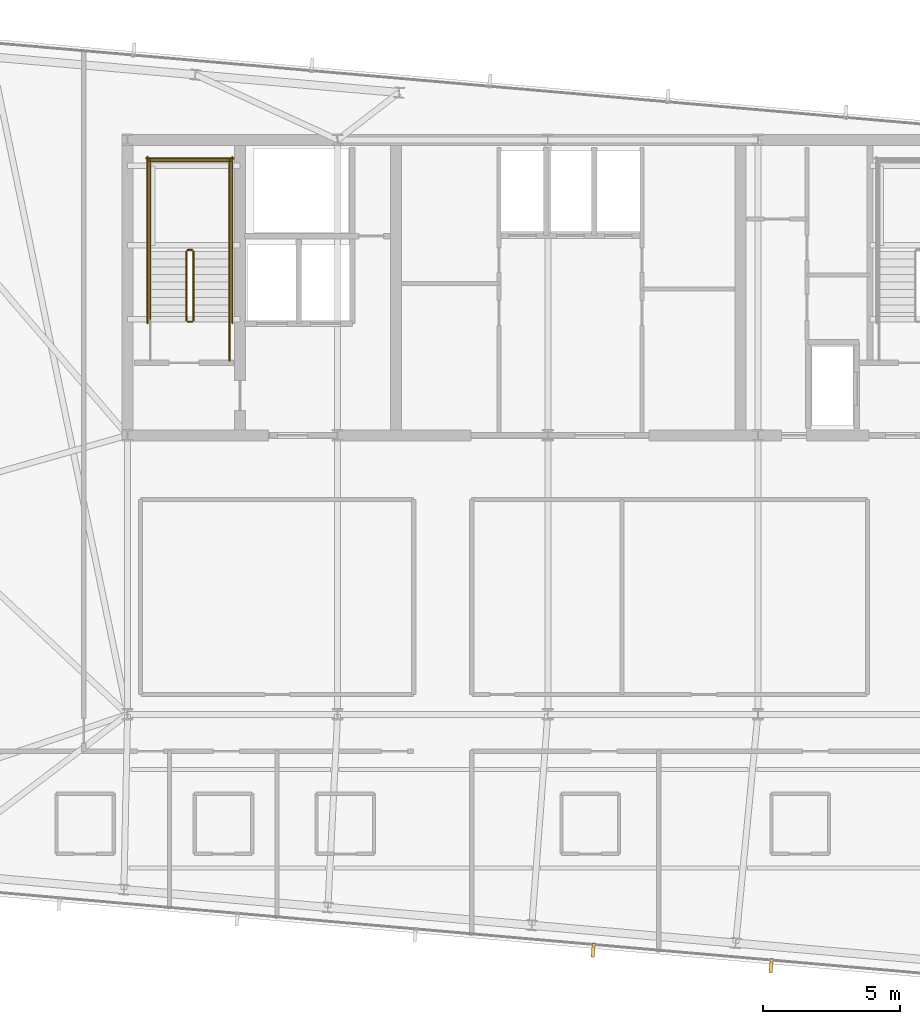
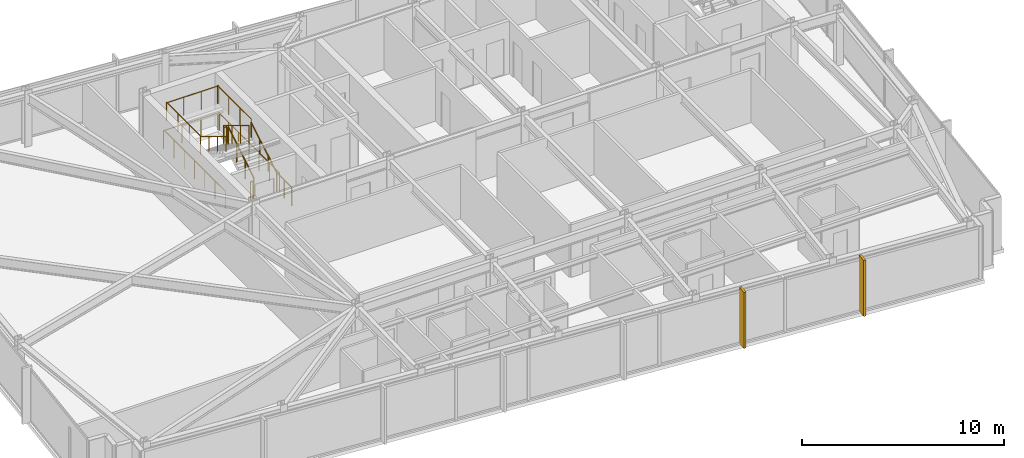
# One storey, part 31 of 33: 13 railings, 2 shading devices.
"""IFC4 building model written with IfcOpenShell, lengths in metres."""

from ifc_helpers import new_model, si_unit, direction, frame, origin, origin_2d, place, context, subcontext, project, spatial, rectangle, circle, extrude, material, layer, layer_set, type_object, element, save


model = new_model("IFC4")

# Units and contexts
model_context = context("Model", 3, precision=1e-05, world=origin(), true_north=direction((0.0, 1.0)))
body_context = subcontext(model_context, "Body", "Model", "MODEL_VIEW")
ifc_project = project(units=[si_unit("LENGTHUNIT", "METRE"), si_unit("AREAUNIT", "SQUARE_METRE"), si_unit("VOLUMEUNIT", "CUBIC_METRE"), si_unit("PLANEANGLEUNIT", "RADIAN"), si_unit("MASSUNIT", "GRAM", prefix="KILO")], contexts=[model_context])

# Site, building, storey
site_placement = place(None, origin())
site = spatial("IfcSite", under=ifc_project, at=site_placement, CompositionType="ELEMENT")
building_placement = place(site_placement, origin())
building = spatial("IfcBuilding", under=site, at=building_placement, Name="Yelkora Congress Tower", CompositionType="ELEMENT")
storey_placement = place(building_placement, frame((0.0, 0.0, 289.699951171875)))
storey = spatial("IfcBuildingStorey", under=building, at=storey_placement, Name="L81", CompositionType="ELEMENT", Elevation=289.699951171875)

# Railings
ifc_material_1 = material(Name="Painted galvanised steel stair well guard with vertical infill", Category="steel")
ifc_layer_1 = layer(ifc_material_1, 0.06005859375)
ifc_layer_set_1 = layer_set([ifc_layer_1], Name="Painted galvanised steel stair well guard with vertical infill")
railing_type_1 = type_object("IfcRailingType", Name="RAIL-STAIR-GUARD-1120", PredefinedType="GUARDRAIL", material=ifc_layer_set_1)
railing_1_placement = place(storey_placement, frame((25.449951171875, 39.60009765625, 0.170166015625)))
element("IfcRailing", 1, at=railing_1_placement, inside=storey, type_object=railing_type_1, Name="ST-01 L81 Stair Well Guardrail 1", PredefinedType="GUARDRAIL", context=body_context, shape_type="SweptSolid", body=[
    extrude(circle(Radius=0.02392578125, at=origin_2d()), frame((0.0, 0.0, 1.09619140625), z_axis=(0.0, 0.854821627497, 0.518921945155), x_axis=(-1.0, 0.0, 0.0)), (0.0, 0.0, 1.0), 2.947998046875),
    extrude(circle(Radius=0.02099609375, at=origin_2d()), origin(), (0.0, 0.0, 1.0), 1.072021484375),
    extrude(circle(Radius=0.02099609375, at=origin_2d()), frame((0.0, 0.840087890625, 0.510009765625)), (0.0, 0.0, 1.0), 1.072021484375),
    extrude(circle(Radius=0.02099609375, at=origin_2d()), frame((0.0, 1.679931640625, 1.019775390625)), (0.0, 0.0, 1.0), 1.072021484375),
    extrude(circle(Radius=0.02099609375, at=origin_2d()), frame((0.0, 2.52001953125, 1.52978515625)), (0.0, 0.0, 1.0), 1.072021484375),
])
railing_2_placement = place(storey_placement, frame((25.39990234375, 42.169921875, 1.699951171875)))
element("IfcRailing", 2, at=railing_2_placement, inside=storey, type_object=railing_type_1, Name="ST-01 L81 Stair Well Guardrail 2", PredefinedType="GUARDRAIL", context=body_context, shape_type="SweptSolid", body=[
    extrude(circle(Radius=0.02392578125, at=origin_2d()), frame((0.0, 0.0, 1.09619140625), z_axis=(-1.0, 0.0, 0.0), x_axis=(0.0, -1.0, 0.0)), (0.0, 0.0, 1.0), 0.159912109375),
    extrude(circle(Radius=0.02099609375, at=origin_2d()), origin(), (0.0, 0.0, 1.0), 1.072021484375),
    extrude(circle(Radius=0.02099609375, at=origin_2d()), frame((-0.159912109375, 0.0, 0.0)), (0.0, 0.0, 1.0), 1.072021484375),
])
for number, where, name in (
    (3, (26.77001953125, 42.1201171875, 1.699951171875), "ST-01 L81 Stair Well Guardrail 3"),
    (4, (23.8701171875, 42.1201171875, 1.699951171875), "ST-01 L81 Stair Well Guardrail 4"),
):
    element("IfcRailing", number, at=place(storey_placement, frame(where)), inside=storey, type_object=railing_type_1, Name=name, PredefinedType="GUARDRAIL", context=body_context, shape_type="SweptSolid", body=[
        extrude(circle(Radius=0.02392578125, at=origin_2d()), frame((0.0, 0.0, 1.09619140625), z_axis=(0.0, 1.0, 0.0), x_axis=(-1.0, 0.0, 0.0)), (0.0, 0.0, 1.0), 3.349853515625),
        extrude(circle(Radius=0.02099609375, at=origin_2d()), origin(), (0.0, 0.0, 1.0), 1.072021484375),
        extrude(circle(Radius=0.02099609375, at=origin_2d()), frame((0.0, 1.11669921875, 0.0)), (0.0, 0.0, 1.0), 1.072021484375),
        extrude(circle(Radius=0.02099609375, at=origin_2d()), frame((0.0, 2.233154296875, 0.0)), (0.0, 0.0, 1.0), 1.072021484375),
        extrude(circle(Radius=0.02099609375, at=origin_2d()), frame((0.0, 3.349853515625, 0.0)), (0.0, 0.0, 1.0), 1.072021484375),
    ])
railing_3_placement = place(storey_placement, frame((26.820068359375, 45.419921875, 1.699951171875)))
element("IfcRailing", 5, at=railing_3_placement, inside=storey, type_object=railing_type_1, Name="ST-01 L81 Stair Well Guardrail 5", PredefinedType="GUARDRAIL", context=body_context, shape_type="SweptSolid", body=[
    extrude(circle(Radius=0.02392578125, at=origin_2d()), frame((0.0, 0.0, 1.09619140625), z_axis=(-1.0, 0.0, 0.0), x_axis=(0.0, -1.0, 0.0)), (0.0, 0.0, 1.0), 3.0),
    extrude(circle(Radius=0.02099609375, at=origin_2d()), origin(), (0.0, 0.0, 1.0), 1.072021484375),
    extrude(circle(Radius=0.02099609375, at=origin_2d()), frame((-1.0, 0.0, 0.0)), (0.0, 0.0, 1.0), 1.072021484375),
    extrude(circle(Radius=0.02099609375, at=origin_2d()), frame((-2.0, 0.0, 0.0)), (0.0, 0.0, 1.0), 1.072021484375),
    extrude(circle(Radius=0.02099609375, at=origin_2d()), frame((-3.0, 0.0, 0.0)), (0.0, 0.0, 1.0), 1.072021484375),
])
railing_4_placement = place(storey_placement, frame((25.18994140625, 42.1201171875, 1.8701171875)))
element("IfcRailing", 6, at=railing_4_placement, inside=storey, type_object=railing_type_1, Name="ST-01 L81 Stair Well Guardrail 6", PredefinedType="GUARDRAIL", context=body_context, shape_type="SweptSolid", body=[
    extrude(circle(Radius=0.02392578125, at=origin_2d()), frame((0.0, 0.0, 1.09619140625), z_axis=(0.0, -0.85478489116, 0.518982456201), x_axis=(1.0, 0.0, 0.0)), (0.0, 0.0, 1.0), 2.9482421875),
    extrude(circle(Radius=0.02099609375, at=origin_2d()), origin(), (0.0, 0.0, 1.0), 1.072021484375),
    extrude(circle(Radius=0.02099609375, at=origin_2d()), frame((0.0, -0.840087890625, 0.510009765625)), (0.0, 0.0, 1.0), 1.072021484375),
    extrude(circle(Radius=0.02099609375, at=origin_2d()), frame((0.0, -1.679931640625, 1.02001953125)), (0.0, 0.0, 1.0), 1.072021484375),
    extrude(circle(Radius=0.02099609375, at=origin_2d()), frame((0.0, -2.52001953125, 1.530029296875)), (0.0, 0.0, 1.0), 1.072021484375),
])
railing_5_placement = place(storey_placement, frame((25.39990234375, 39.550048828125, 0.0)))
element("IfcRailing", 7, at=railing_5_placement, inside=storey, type_object=railing_type_1, Name="ST-01 L81 Stair Well Guardrail 7", PredefinedType="GUARDRAIL", context=body_context, shape_type="SweptSolid", body=[
    extrude(circle(Radius=0.02392578125, at=origin_2d()), frame((0.0, 0.0, 1.09619140625), z_axis=(-1.0, 0.0, 0.0), x_axis=(0.0, -1.0, 0.0)), (0.0, 0.0, 1.0), 0.159912109375),
    extrude(circle(Radius=0.02099609375, at=origin_2d()), origin(), (0.0, 0.0, 1.0), 1.072021484375),
    extrude(circle(Radius=0.02099609375, at=origin_2d()), frame((-0.159912109375, 0.0, 0.0)), (0.0, 0.0, 1.0), 1.072021484375),
])
railing_6_placement = place(storey_placement, frame((26.77001953125, 38.1201171875, 0.0)))
element("IfcRailing", 8, at=railing_6_placement, inside=storey, type_object=railing_type_1, Name="ST-01 L81 Stair Well Guardrail 8", PredefinedType="GUARDRAIL", context=body_context, shape_type="SweptSolid", body=[
    extrude(circle(Radius=0.02392578125, at=origin_2d()), frame((0.0, 0.0, 1.09619140625), z_axis=(0.0, 1.0, 0.0), x_axis=(-1.0, 0.0, 0.0)), (0.0, 0.0, 1.0), 1.47998046875),
    extrude(circle(Radius=0.02099609375, at=origin_2d()), origin(), (0.0, 0.0, 1.0), 1.072021484375),
    extrude(circle(Radius=0.02099609375, at=origin_2d()), frame((0.0, 0.739990234375, 0.0)), (0.0, 0.0, 1.0), 1.072021484375),
    extrude(circle(Radius=0.02099609375, at=origin_2d()), frame((0.0, 1.47998046875, 0.0)), (0.0, 0.0, 1.0), 1.072021484375),
])
for number, where, name in (
    (9, (26.8701171875, 39.5, 0.0), "ST-01 L81 Stair Well Guardrail 10"),
    (10, (23.77001953125, 39.5, 0.0), "ST-01 L81 Stair Well Guardrail 11"),
):
    element("IfcRailing", number, at=place(storey_placement, frame(where)), inside=storey, type_object=railing_type_1, Name=name, PredefinedType="GUARDRAIL", context=body_context, shape_type="SweptSolid", body=[
        extrude(circle(Radius=0.02392578125, at=origin_2d()), frame((0.0, 0.0, 1.09619140625), z_axis=(0.0, 1.0, 0.0), x_axis=(-1.0, 0.0, 0.0)), (0.0, 0.0, 1.0), 6.070068359375),
        extrude(circle(Radius=0.02099609375, at=origin_2d()), origin(), (0.0, 0.0, 1.0), 1.072021484375),
        extrude(circle(Radius=0.02099609375, at=origin_2d()), frame((0.0, 1.01171875, 0.0)), (0.0, 0.0, 1.0), 1.072021484375),
        extrude(circle(Radius=0.02099609375, at=origin_2d()), frame((0.0, 2.0234375, 0.0)), (0.0, 0.0, 1.0), 1.072021484375),
        extrude(circle(Radius=0.02099609375, at=origin_2d()), frame((0.0, 3.03515625, 0.0)), (0.0, 0.0, 1.0), 1.072021484375),
        extrude(circle(Radius=0.02099609375, at=origin_2d()), frame((0.0, 4.046630859375, 0.0)), (0.0, 0.0, 1.0), 1.072021484375),
        extrude(circle(Radius=0.02099609375, at=origin_2d()), frame((0.0, 5.058349609375, 0.0)), (0.0, 0.0, 1.0), 1.072021484375),
        extrude(circle(Radius=0.02099609375, at=origin_2d()), frame((0.0, 6.070068359375, 0.0)), (0.0, 0.0, 1.0), 1.072021484375),
    ])
railing_7_placement = place(storey_placement, frame((26.919921875, 45.52001953125, 0.0)))
element("IfcRailing", 11, at=railing_7_placement, inside=storey, type_object=railing_type_1, Name="ST-01 L81 Stair Well Guardrail 12", PredefinedType="GUARDRAIL", context=body_context, shape_type="SweptSolid", body=[
    extrude(circle(Radius=0.02392578125, at=origin_2d()), frame((0.0, 0.0, 1.09619140625), z_axis=(-1.0, 0.0, 0.0), x_axis=(0.0, -1.0, 0.0)), (0.0, 0.0, 1.0), 3.199951171875),
    extrude(circle(Radius=0.02099609375, at=origin_2d()), origin(), (0.0, 0.0, 1.0), 1.072021484375),
    extrude(circle(Radius=0.02099609375, at=origin_2d()), frame((-1.066650390625, 0.0, 0.0)), (0.0, 0.0, 1.0), 1.072021484375),
    extrude(circle(Radius=0.02099609375, at=origin_2d()), frame((-2.13330078125, 0.0, 0.0)), (0.0, 0.0, 1.0), 1.072021484375),
    extrude(circle(Radius=0.02099609375, at=origin_2d()), frame((-3.199951171875, 0.0, 0.0)), (0.0, 0.0, 1.0), 1.072021484375),
])
ifc_material_2 = material(Name="Brushed stainless steel tubular handrail", Category="steel")
ifc_layer_2 = layer(ifc_material_2, 0.050048828125)
ifc_layer_set_2 = layer_set([ifc_layer_2], Name="Brushed stainless steel tubular handrail")
railing_type_2 = type_object("IfcRailingType", Name="RAIL-STAIR-HAND-920", PredefinedType="HANDRAIL", material=ifc_layer_set_2)
railing_8_placement = place(storey_placement, frame((26.77001953125, 39.60009765625, 0.170166015625)))
element("IfcRailing", 12, at=railing_8_placement, inside=storey, type_object=railing_type_2, Name="ST-01 L81 Pitch Handrail 1", PredefinedType="HANDRAIL", context=body_context, shape_type="SweptSolid", body=[
    extrude(circle(Radius=0.02392578125, at=origin_2d()), frame((0.0, 0.0, 0.89599609375), z_axis=(0.0, 0.854821627497, 0.518921945155), x_axis=(-1.0, 0.0, 0.0)), (0.0, 0.0, 1.0), 2.947998046875),
    extrude(circle(Radius=0.02099609375, at=origin_2d()), origin(), (0.0, 0.0, 1.0), 0.871826171875),
    extrude(circle(Radius=0.02099609375, at=origin_2d()), frame((0.0, 0.840087890625, 0.510009765625)), (0.0, 0.0, 1.0), 0.871826171875),
    extrude(circle(Radius=0.02099609375, at=origin_2d()), frame((0.0, 1.679931640625, 1.019775390625)), (0.0, 0.0, 1.0), 0.871826171875),
    extrude(circle(Radius=0.02099609375, at=origin_2d()), frame((0.0, 2.52001953125, 1.52978515625)), (0.0, 0.0, 1.0), 0.871826171875),
])
railing_9_placement = place(storey_placement, frame((23.8701171875, 42.1201171875, 1.8701171875)))
element("IfcRailing", 13, at=railing_9_placement, inside=storey, type_object=railing_type_2, Name="ST-01 L81 Pitch Handrail 2", PredefinedType="HANDRAIL", context=body_context, shape_type="SweptSolid", body=[
    extrude(circle(Radius=0.02392578125, at=origin_2d()), frame((0.0, 0.0, 0.89599609375), z_axis=(0.0, -0.85478489116, 0.518982456201), x_axis=(1.0, 0.0, 0.0)), (0.0, 0.0, 1.0), 2.9482421875),
    extrude(circle(Radius=0.02099609375, at=origin_2d()), origin(), (0.0, 0.0, 1.0), 0.871826171875),
    extrude(circle(Radius=0.02099609375, at=origin_2d()), frame((0.0, -0.840087890625, 0.510009765625)), (0.0, 0.0, 1.0), 0.871826171875),
    extrude(circle(Radius=0.02099609375, at=origin_2d()), frame((0.0, -1.679931640625, 1.02001953125)), (0.0, 0.0, 1.0), 0.871826171875),
    extrude(circle(Radius=0.02099609375, at=origin_2d()), frame((0.0, -2.52001953125, 1.530029296875)), (0.0, 0.0, 1.0), 0.871826171875),
])

# Shading devices
ifc_material_3 = material(Name="Champagne anodised aluminium", Category="aluminium")
ifc_layer_3 = layer(ifc_material_3, 3.300048828125)
ifc_layer_set_3 = layer_set([ifc_layer_3], Name="Champagne anodised aluminium")
shading_device_type = type_object("IfcShadingDeviceType", Name="SHD-FIN-ALU-520", PredefinedType="USERDEFINED", material=ifc_layer_set_3)
for number, where, z_axis, x_axis, name in (
    (14, (46.567138671875, 16.0107421875, -0.02978515625), (0.0, 0.0, 1.0), (-0.996194698092, 0.087155742748, 0.0), "L81 Vertical Anodised Solar Fin 20-1"),
    (15, (40.060546875, 16.579833984375, -0.02978515625), (0.0, 0.0, 1.0), (-0.996194698092, 0.087155742748, 0.0), "L81 Vertical Anodised Solar Fin 20-2"),
):
    element("IfcShadingDevice", number, at=place(storey_placement, frame(where, z_axis=z_axis, x_axis=x_axis)), inside=storey, type_object=shading_device_type, Name=name, ObjectType="FIN", PredefinedType="USERDEFINED", context=body_context, shape_type="SweptSolid", body=[
        extrude(rectangle(XDim=0.1201171875, YDim=0.52001953125, at=origin_2d()), origin(), (0.0, 0.0, 1.0), 3.3798828125),
    ])

save(model, "model.ifc")
